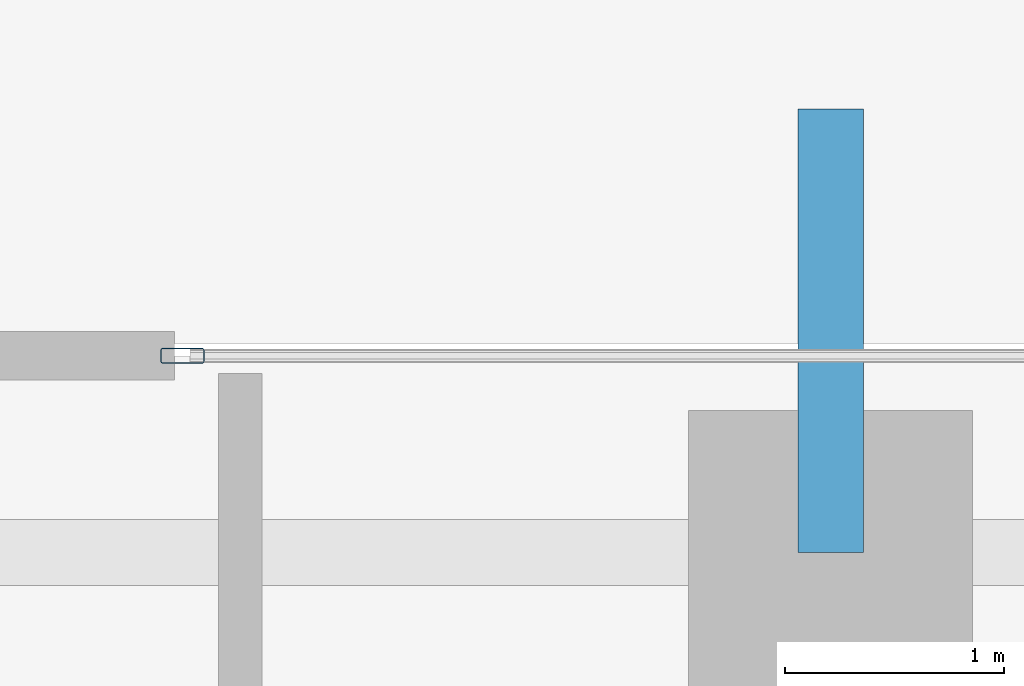
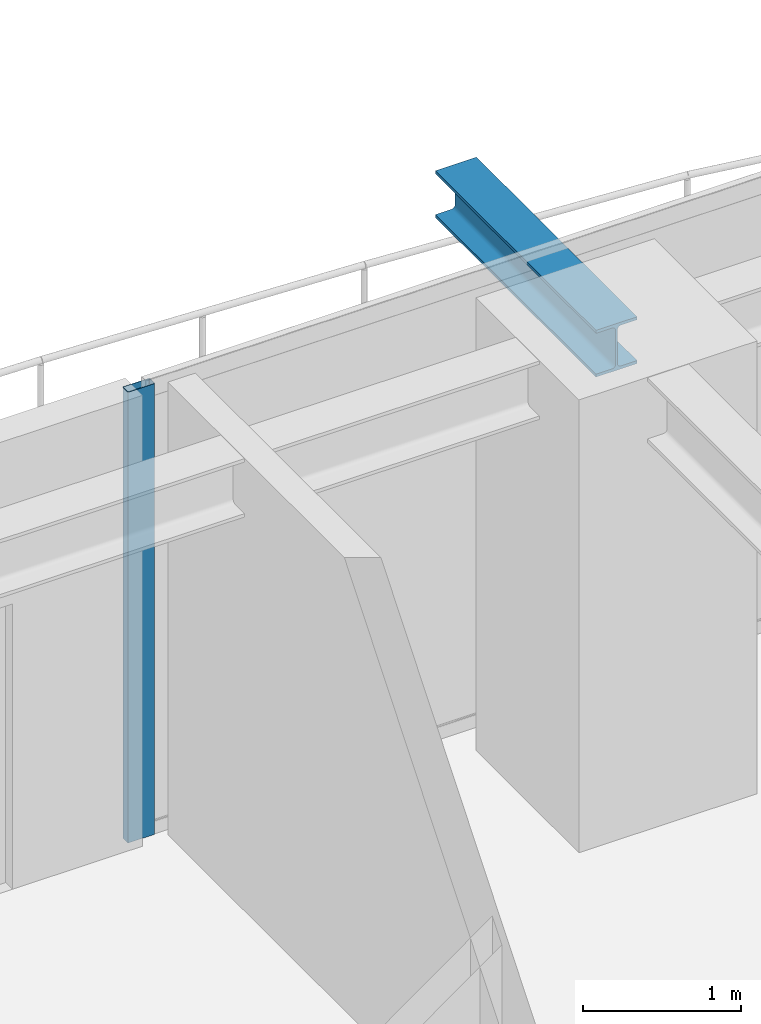
# One storey, part 22 of 38: 1 beam, 1 member, 1 element without a shape of its own.
"""IFC4 building model written with IfcOpenShell, lengths in metres."""

from ifc_helpers import new_model, si_unit, direction, frame, origin, origin_2d, place, context, subcontext, project, spatial, hollow_rectangle, i_section, extrude, source, transform, mapped, material, layer, layer_set, material_profile, profile_set, type_object, element, aggregate, save


model = new_model("IFC4")

# Units and contexts
model_context = context("Model", 3, precision=1e-05, world=origin(), true_north=direction((0.0, 1.0)))
body_context = subcontext(model_context, "Body", "Model", "MODEL_VIEW")
ifc_project = project(units=[si_unit("LENGTHUNIT", "METRE"), si_unit("AREAUNIT", "SQUARE_METRE"), si_unit("VOLUMEUNIT", "CUBIC_METRE"), si_unit("PLANEANGLEUNIT", "RADIAN"), si_unit("MASSUNIT", "GRAM", prefix="KILO")], contexts=[model_context])

# Site, building, storey
site_placement = place(None, origin())
site = spatial("IfcSite", under=ifc_project, at=site_placement, CompositionType="ELEMENT")
building_placement = place(site_placement, origin())
building = spatial("IfcBuilding", under=site, at=building_placement, Name="Serunith Strait Residences", CompositionType="ELEMENT")
storey_placement = place(building_placement, frame((0.0, 0.0, 183.89990234375)))
storey = spatial("IfcBuildingStorey", under=building, at=storey_placement, Name="L46", CompositionType="ELEMENT", Elevation=183.89990234375)

# Beam
ifc_material_1 = material(Name="Steel S355J2", Category="steel")
ifc_material_profile_1 = material_profile(ifc_material_1, i_section(OverallWidth=0.300048828125, OverallDepth=0.360107421875, WebThickness=0.012451171875, FlangeThickness=0.0224609375, FilletRadius=0.027099609375, at=origin_2d()), Name="HEB 360")
ifc_profile_set_1 = profile_set([ifc_material_profile_1], Name="Steel S355J2")
beam_type = type_object("IfcBeamType", Name="BM-HEB360", PredefinedType="BEAM", material=ifc_profile_set_1)
shared_shape_1 = source(origin(), body_context, "Body", "SweptSolid", [
    extrude(i_section(OverallWidth=0.300048828125, OverallDepth=0.360107421875, WebThickness=0.012451171875, FlangeThickness=0.0224609375, FilletRadius=0.027099609375, at=origin_2d()), origin(), (0.0, 0.0, 1.0), 2.02978515625),
])
beam_placement = place(storey_placement, frame((36.89990234375, 48.10009765625, 3.277099609375), z_axis=(0.0, 1.0, 0.0), x_axis=(-1.0, 0.0, 0.0)))
element("IfcBeam", 1, at=beam_placement, inside=storey, type_object=beam_type, Name="L47 Cantilevered Balcony Rib TC-N3", PredefinedType="BEAM", context=body_context, shape_type="MappedRepresentation", body=[
    mapped(shared_shape_1, transform((0.0, 0.0, 0.0), scale=1.0)),
])

# Curtain wall, member
ifc_material_2 = material(Name="Pale-Champagne Anodised Aluminium", Category="aluminium")
ifc_layer = layer(ifc_material_2, 0.199951171875, Name="Pale-Champagne Anodised Aluminium")
ifc_layer_set = layer_set([ifc_layer], Name="Pale-Champagne Anodised Aluminium")
curtain_wall_type = type_object("IfcCurtainWallType", Name="CW-SYS2", PredefinedType="NOTDEFINED", material=ifc_layer_set)
curtain_wall_placement = place(storey_placement, origin())
curtain_wall = element("IfcCurtainWall", 2, at=curtain_wall_placement, inside=storey, type_object=curtain_wall_type, Name="L46 N Unitised Fritted Curtain Wall", PredefinedType="NOTDEFINED")
ifc_material_profile_2 = material_profile(ifc_material_2, hollow_rectangle(XDim=0.070068359375, YDim=0.199951171875, WallThickness=0.00390625, InnerFilletRadius=0.006103515625, OuterFilletRadius=0.010009765625, at=origin_2d()), Name="ALU 200x70x4")
ifc_profile_set_2 = profile_set([ifc_material_profile_2], Name="Pale-Champagne Anodised Aluminium")
member_type = type_object("IfcMemberType", Name="CW-SYS2-MULL", PredefinedType="MULLION", material=ifc_profile_set_2)
shared_shape_2 = source(origin(), body_context, "Body", "SweptSolid", [
    extrude(hollow_rectangle(XDim=0.070068359375, YDim=0.199951171875, WallThickness=0.00390625, InnerFilletRadius=0.006103515625, OuterFilletRadius=0.010009765625, at=origin_2d()), origin(), (0.0, 0.0, 1.0), 3.47509765625),
])
member_placement = place(storey_placement, frame((33.93505859375, 49.0, 0.0), z_axis=(0.0, 0.0, 1.0), x_axis=(0.0, -1.0, 0.0)))
member = element("IfcMember", 3, at=member_placement, type_object=member_type, Name="CW-2 mullion 3", PredefinedType="MULLION", context=body_context, shape_type="MappedRepresentation", body=[
    mapped(shared_shape_2, transform((0.0, 0.0, 0.0), scale=1.0)),
])
aggregate(curtain_wall, [member])

save(model, "model.ifc")
